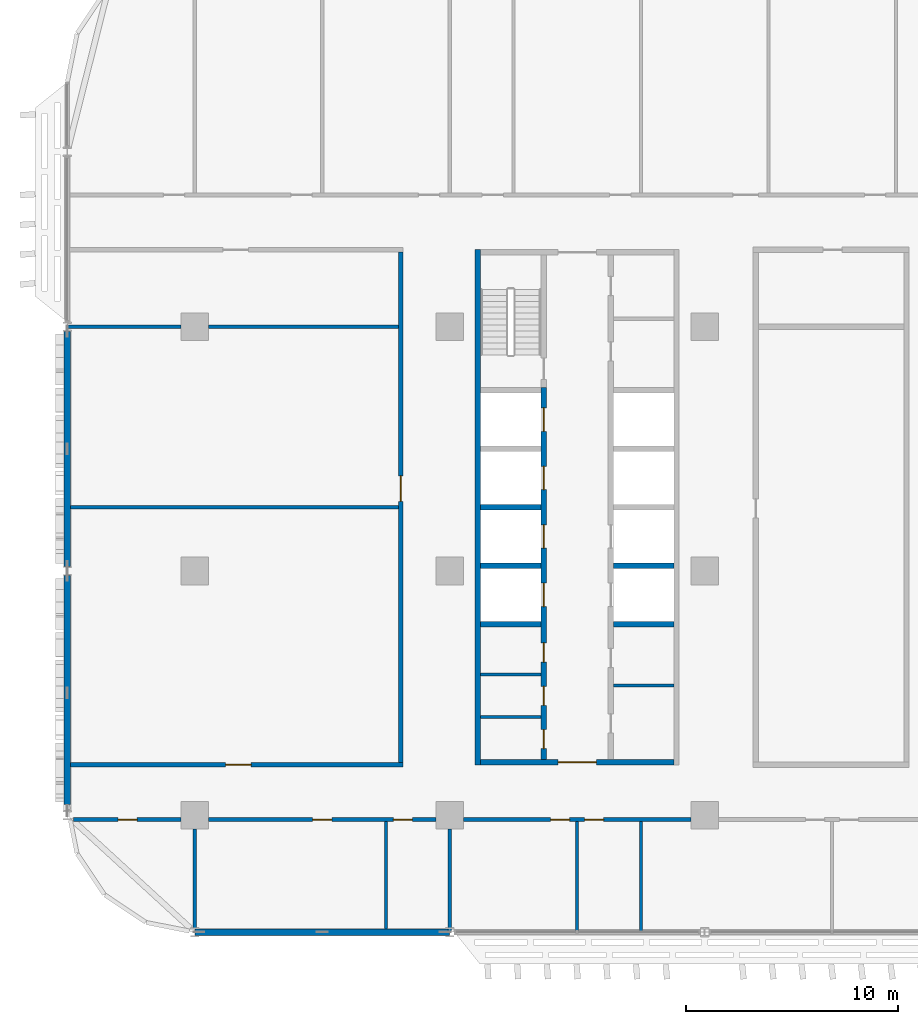
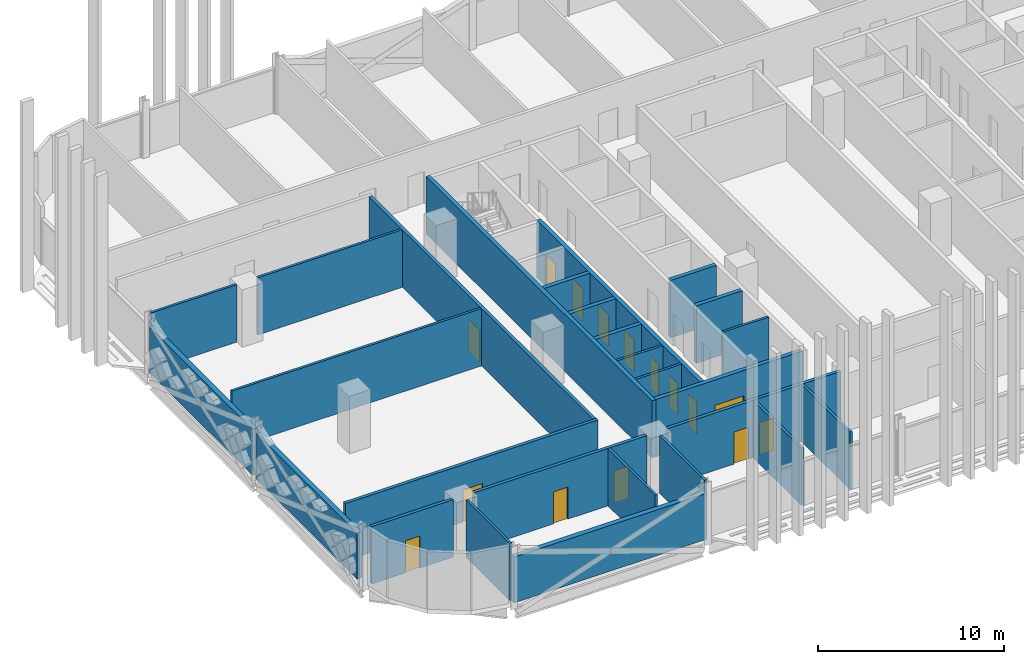
# One storey, part 13 of 32: 27 walls, 15 doors, 15 openings.
"""IFC4 building model written with IfcOpenShell, lengths in metres."""

from ifc_helpers import new_model, si_unit, direction, frame, frame_2d, origin, place, context, subcontext, project, spatial, rectangle, extrude, material, layer, layer_set, type_object, element, fill, save


model = new_model("IFC4")

# Units and contexts
model_context = context("Model", 3, precision=1e-05, world=origin(), true_north=direction((0.0, 1.0)))
body_context = subcontext(model_context, "Body", "Model", "MODEL_VIEW")
ifc_project = project(units=[si_unit("LENGTHUNIT", "METRE"), si_unit("AREAUNIT", "SQUARE_METRE"), si_unit("VOLUMEUNIT", "CUBIC_METRE"), si_unit("PLANEANGLEUNIT", "RADIAN"), si_unit("MASSUNIT", "GRAM", prefix="KILO")], contexts=[model_context])

# Site, building, storey
site_placement = place(None, origin())
site = spatial("IfcSite", under=ifc_project, at=site_placement, CompositionType="ELEMENT")
building_placement = place(site_placement, origin())
building = spatial("IfcBuilding", under=site, at=building_placement, Name="Mahtab Terrace Research Tower", CompositionType="ELEMENT")
storey_placement = place(building_placement, frame((0.0, 0.0, 138.39990234375)))
storey = spatial("IfcBuildingStorey", under=building, at=storey_placement, Name="L32", CompositionType="ELEMENT", Elevation=138.39990234375)

# Walls
ifc_material_1 = material(Name="Gypsum board partition")
ifc_layer_1 = layer(ifc_material_1, 0.14990234375)
ifc_layer_set_1 = layer_set([ifc_layer_1], Name="Core partition 150")
wall_type_1 = type_object("IfcWallType", Name="Core partition 150", PredefinedType="PARTITIONING", material=ifc_layer_set_1)
for number, where, z_axis, x_axis, name in (
    (1, (-28.550048828125, -6.875, 0.0), (0.0, 0.0, 1.0), (1.0, 0.0, 0.0), "Core wall A pWS-988"),
    (2, (-28.550048828125, -4.875, 0.0), (0.0, 0.0, 1.0), (1.0, 0.0, 0.0), "Core wall A pWS-788"),
    (3, (-22.300048828125, -5.39501953125, 0.0), (0.0, 0.0, 1.0), (1.0, 0.0, 0.0), "Core wall A pES-840"),
):
    element("IfcWall", number, at=place(storey_placement, frame(where, z_axis=z_axis, x_axis=x_axis)), inside=storey, type_object=wall_type_1, Name=name, PredefinedType="PARTITIONING", context=body_context, shape_type="SweptSolid", body=[
        extrude(rectangle(XDim=2.85009765625, YDim=0.14990234375, at=frame_2d((1.425048828125, 0.0))), origin(), (0.0, 0.0, 1.0), 3.760009765625),
    ])
ifc_material_2 = material(Name="Concrete C70/85", Category="concrete")
ifc_layer_2 = layer(ifc_material_2, 0.25)
ifc_layer_set_2 = layer_set([ifc_layer_2], Name="Core wall 250")
wall_type_2 = type_object("IfcWallType", Name="Core wall 250", PredefinedType="SOLIDWALL", material=ifc_layer_set_2)
wall_1_placement = place(storey_placement, frame((-28.675048828125, 15.125, 0.0), z_axis=(0.0, 0.0, 1.0), x_axis=(0.0, -1.0, 0.0)))
element("IfcWall", 4, at=wall_1_placement, inside=storey, type_object=wall_type_2, Name="Core wall A outerW", PredefinedType="SOLIDWALL", context=body_context, shape_type="SweptSolid", body=[
    extrude(rectangle(XDim=24.25, YDim=0.25, at=frame_2d((12.125, 0.0))), origin(), (0.0, 0.0, 1.0), 3.760009765625),
])

# Wall, opening, door
wall_2_placement = place(storey_placement, frame((-19.449951171875, -9.0, 0.0), z_axis=(0.0, 0.0, 1.0), x_axis=(-1.0, 0.0, 0.0)))
wall_2 = element("IfcWall", 5, at=wall_2_placement, inside=storey, type_object=wall_type_2, Name="Core wall A endS", PredefinedType="SOLIDWALL", context=body_context, shape_type="SweptSolid", body=[
    extrude(rectangle(XDim=9.10009765625, YDim=0.25, at=frame_2d((4.550048828125, 0.0))), origin(), (0.0, 0.0, 1.0), 3.760009765625),
])
opening_1_placement = place(wall_2_placement, frame((3.64990234375, 0.0, 0.0)))
opening_1 = element("IfcOpeningElement", 6, at=opening_1_placement, cuts=wall_2, Name="Opening A-S1", PredefinedType="OPENING", context=body_context, shape_type="SweptSolid", body=[
    extrude(rectangle(XDim=1.800048828125, YDim=2.10009765625, at=frame_2d((0.89990234375, 1.050048828125))), frame((0.0, 0.135009765625, 0.0), z_axis=(0.0, -1.0, 0.0), x_axis=(1.0, 0.0, 0.0)), (0.0, 0.0, 1.0), 0.27001953125),
])
ifc_material_3 = material(Name="Steel fire door", Category="steel")
door_type_1 = type_object("IfcDoorType", Name="Lobby double door 1800x2100 1 HR", OperationType="DOUBLE_DOOR_SINGLE_SWING", PredefinedType="DOOR", material=ifc_material_3)
door_1_placement = place(opening_1_placement, origin())
door_1 = element("IfcDoor", 7, at=door_1_placement, inside=storey, type_object=door_type_1, Name="Core entrance door A S", OperationType="DOUBLE_DOOR_SINGLE_SWING", OverallHeight=2.10009765625, OverallWidth=1.800048828125, PredefinedType="DOOR", context=body_context, shape_type="SweptSolid", body=[
    extrude(rectangle(XDim=1.800048828125, YDim=2.10009765625, at=frame_2d((0.89990234375, 1.050048828125))), frame((0.0, 0.02490234375, 0.0), z_axis=(0.0, -1.0, 0.0), x_axis=(1.0, 0.0, 0.0)), (0.0, 0.0, 1.0), 0.050048828125),
])
fill(opening_1, door_1)

# Wall, openings, doors
wall_3_placement = place(storey_placement, frame((-25.574951171875, -8.875, 0.0), z_axis=(0.0, 0.0, 1.0), x_axis=(0.0, 1.0, 0.0)))
wall_3 = element("IfcWall", 8, at=wall_3_placement, inside=storey, type_object=wall_type_2, Name="Core wall A innerWSL", PredefinedType="SOLIDWALL", context=body_context, shape_type="SweptSolid", body=[
    extrude(rectangle(XDim=17.5, YDim=0.25, at=frame_2d((8.75, 0.0))), origin(), (0.0, 0.0, 1.0), 3.760009765625),
])
opening_2_placement = place(wall_3_placement, frame((7.199951171875, 0.0, 0.0)))
opening_2 = element("IfcOpeningElement", 9, at=opening_2_placement, cuts=wall_3, Name="Opening LD01-L32", PredefinedType="OPENING", context=body_context, shape_type="SweptSolid", body=[
    extrude(rectangle(XDim=1.10009765625, YDim=2.10009765625, at=frame_2d((0.550048828125, 1.050048828125))), frame((0.0, 0.135009765625, 0.0), z_axis=(0.0, -1.0, 0.0), x_axis=(1.0, 0.0, 0.0)), (0.0, 0.0, 1.0), 0.27001953125),
])
opening_3_placement = place(wall_3_placement, frame((9.949951171875, 0.0, 0.0)))
opening_3 = element("IfcOpeningElement", 10, at=opening_3_placement, cuts=wall_3, Name="Opening LD02-L32", PredefinedType="OPENING", context=body_context, shape_type="SweptSolid", body=[
    extrude(rectangle(XDim=1.10009765625, YDim=2.10009765625, at=frame_2d((0.550048828125, 1.050048828125))), frame((0.0, 0.135009765625, 0.0), z_axis=(0.0, -1.0, 0.0), x_axis=(1.0, 0.0, 0.0)), (0.0, 0.0, 1.0), 0.27001953125),
])
opening_4_placement = place(wall_3_placement, frame((12.699951171875, 0.0, 0.0)))
opening_4 = element("IfcOpeningElement", 11, at=opening_4_placement, cuts=wall_3, Name="Opening LD03-L32", PredefinedType="OPENING", context=body_context, shape_type="SweptSolid", body=[
    extrude(rectangle(XDim=1.10009765625, YDim=2.10009765625, at=frame_2d((0.550048828125, 1.050048828125))), frame((0.0, 0.135009765625, 0.0), z_axis=(0.0, -1.0, 0.0), x_axis=(1.0, 0.0, 0.0)), (0.0, 0.0, 1.0), 0.27001953125),
])
opening_5_placement = place(wall_3_placement, frame((15.449951171875, 0.0, 0.0)))
opening_5 = element("IfcOpeningElement", 12, at=opening_5_placement, cuts=wall_3, Name="Opening LD04-L32", PredefinedType="OPENING", context=body_context, shape_type="SweptSolid", body=[
    extrude(rectangle(XDim=1.10009765625, YDim=2.10009765625, at=frame_2d((0.550048828125, 1.050048828125))), frame((0.0, 0.135009765625, 0.0), z_axis=(0.0, -1.0, 0.0), x_axis=(1.0, 0.0, 0.0)), (0.0, 0.0, 1.0), 0.27001953125),
])
opening_6_placement = place(wall_3_placement, frame((0.512451171875, 0.0, 0.0)))
opening_6 = element("IfcOpeningElement", 13, at=opening_6_placement, cuts=wall_3, Name="Opening A-R1", PredefinedType="OPENING", context=body_context, shape_type="SweptSolid", body=[
    extrude(rectangle(XDim=0.89990234375, YDim=2.10009765625, at=frame_2d((0.449951171875, 1.050048828125))), frame((0.0, 0.135009765625, 0.0), z_axis=(0.0, -1.0, 0.0), x_axis=(1.0, 0.0, 0.0)), (0.0, 0.0, 1.0), 0.27001953125),
])
opening_7_placement = place(wall_3_placement, frame((2.550048828125, 0.0, 0.0)))
opening_7 = element("IfcOpeningElement", 14, at=opening_7_placement, cuts=wall_3, Name="Opening A-R2", PredefinedType="OPENING", context=body_context, shape_type="SweptSolid", body=[
    extrude(rectangle(XDim=0.89990234375, YDim=2.10009765625, at=frame_2d((0.449951171875, 1.050048828125))), frame((0.0, 0.135009765625, 0.0), z_axis=(0.0, -1.0, 0.0), x_axis=(1.0, 0.0, 0.0)), (0.0, 0.0, 1.0), 0.27001953125),
])
opening_8_placement = place(wall_3_placement, frame((4.58740234375, 0.0, 0.0)))
opening_8 = element("IfcOpeningElement", 15, at=opening_8_placement, cuts=wall_3, Name="Opening A-R3", PredefinedType="OPENING", context=body_context, shape_type="SweptSolid", body=[
    extrude(rectangle(XDim=0.89990234375, YDim=2.10009765625, at=frame_2d((0.449951171875, 1.050048828125))), frame((0.0, 0.135009765625, 0.0), z_axis=(0.0, -1.0, 0.0), x_axis=(1.0, 0.0, 0.0)), (0.0, 0.0, 1.0), 0.27001953125),
])
ifc_material_4 = material(Name="Stainless steel AISI 304", Category="steel")
door_type_2 = type_object("IfcDoorType", Name="Landing door 1100x2100", OperationType="DOUBLE_DOOR_SLIDING", PredefinedType="DOOR", material=ifc_material_4)
door_2_placement = place(opening_2_placement, origin())
door_2 = element("IfcDoor", 16, at=door_2_placement, inside=storey, type_object=door_type_2, Name="Landing door LR1 L32", OperationType="DOUBLE_DOOR_SLIDING", OverallHeight=2.10009765625, OverallWidth=1.10009765625, PredefinedType="DOOR", context=body_context, shape_type="SweptSolid", body=[
    extrude(rectangle(XDim=1.10009765625, YDim=2.10009765625, at=frame_2d((0.550048828125, 1.050048828125))), frame((0.0, 0.02490234375, 0.0), z_axis=(0.0, -1.0, 0.0), x_axis=(1.0, 0.0, 0.0)), (0.0, 0.0, 1.0), 0.050048828125),
])
fill(opening_2, door_2)
door_3_placement = place(opening_3_placement, origin())
door_3 = element("IfcDoor", 17, at=door_3_placement, inside=storey, type_object=door_type_2, Name="Landing door LR2 L32", OperationType="DOUBLE_DOOR_SLIDING", OverallHeight=2.10009765625, OverallWidth=1.10009765625, PredefinedType="DOOR", context=body_context, shape_type="SweptSolid", body=[
    extrude(rectangle(XDim=1.10009765625, YDim=2.10009765625, at=frame_2d((0.550048828125, 1.050048828125))), frame((0.0, 0.02490234375, 0.0), z_axis=(0.0, -1.0, 0.0), x_axis=(1.0, 0.0, 0.0)), (0.0, 0.0, 1.0), 0.050048828125),
])
fill(opening_3, door_3)
door_4_placement = place(opening_4_placement, origin())
door_4 = element("IfcDoor", 18, at=door_4_placement, inside=storey, type_object=door_type_2, Name="Landing door LR3 L32", OperationType="DOUBLE_DOOR_SLIDING", OverallHeight=2.10009765625, OverallWidth=1.10009765625, PredefinedType="DOOR", context=body_context, shape_type="SweptSolid", body=[
    extrude(rectangle(XDim=1.10009765625, YDim=2.10009765625, at=frame_2d((0.550048828125, 1.050048828125))), frame((0.0, 0.02490234375, 0.0), z_axis=(0.0, -1.0, 0.0), x_axis=(1.0, 0.0, 0.0)), (0.0, 0.0, 1.0), 0.050048828125),
])
fill(opening_4, door_4)
door_5_placement = place(opening_5_placement, origin())
door_5 = element("IfcDoor", 19, at=door_5_placement, inside=storey, type_object=door_type_2, Name="Landing door LR4 L32", OperationType="DOUBLE_DOOR_SLIDING", OverallHeight=2.10009765625, OverallWidth=1.10009765625, PredefinedType="DOOR", context=body_context, shape_type="SweptSolid", body=[
    extrude(rectangle(XDim=1.10009765625, YDim=2.10009765625, at=frame_2d((0.550048828125, 1.050048828125))), frame((0.0, 0.02490234375, 0.0), z_axis=(0.0, -1.0, 0.0), x_axis=(1.0, 0.0, 0.0)), (0.0, 0.0, 1.0), 0.050048828125),
])
fill(opening_5, door_5)
door_type_3 = type_object("IfcDoorType", Name="Room door 900x2100 1 HR", OperationType="NOTDEFINED", PredefinedType="DOOR", material=ifc_material_3)
door_6_placement = place(opening_6_placement, origin())
door_6 = element("IfcDoor", 20, at=door_6_placement, inside=storey, type_object=door_type_3, Name="Male WC door", OperationType="SINGLE_SWING_LEFT", OverallHeight=2.10009765625, OverallWidth=0.89990234375, PredefinedType="DOOR", context=body_context, shape_type="SweptSolid", body=[
    extrude(rectangle(XDim=0.89990234375, YDim=2.10009765625, at=frame_2d((0.449951171875, 1.050048828125))), frame((0.0, 0.02490234375, 0.0), z_axis=(0.0, -1.0, 0.0), x_axis=(1.0, 0.0, 0.0)), (0.0, 0.0, 1.0), 0.050048828125),
])
fill(opening_6, door_6)
door_7_placement = place(opening_7_placement, origin())
door_7 = element("IfcDoor", 21, at=door_7_placement, inside=storey, type_object=door_type_3, Name="Female WC door", OperationType="SINGLE_SWING_RIGHT", OverallHeight=2.10009765625, OverallWidth=0.89990234375, PredefinedType="DOOR", context=body_context, shape_type="SweptSolid", body=[
    extrude(rectangle(XDim=0.89990234375, YDim=2.10009765625, at=frame_2d((0.449951171875, 1.050048828125))), frame((0.0, 0.02490234375, 0.0), z_axis=(0.0, -1.0, 0.0), x_axis=(1.0, 0.0, 0.0)), (0.0, 0.0, 1.0), 0.050048828125),
])
fill(opening_7, door_7)
door_8_placement = place(opening_8_placement, origin())
door_8 = element("IfcDoor", 22, at=door_8_placement, inside=storey, type_object=door_type_3, Name="Accessible WC door", OperationType="SINGLE_SWING_LEFT", OverallHeight=2.10009765625, OverallWidth=0.89990234375, PredefinedType="DOOR", context=body_context, shape_type="SweptSolid", body=[
    extrude(rectangle(XDim=0.89990234375, YDim=2.10009765625, at=frame_2d((0.449951171875, 1.050048828125))), frame((0.0, 0.02490234375, 0.0), z_axis=(0.0, -1.0, 0.0), x_axis=(1.0, 0.0, 0.0)), (0.0, 0.0, 1.0), 0.050048828125),
])
fill(opening_8, door_8)

# Walls
for number, where, z_axis, x_axis, name in (
    (23, (-28.550048828125, -2.5, 0.0), (0.0, 0.0, 1.0), (1.0, 0.0, 0.0), "Core wall A divW0"),
    (24, (-28.550048828125, 0.25, 0.0), (0.0, 0.0, 1.0), (1.0, 0.0, 0.0), "Core wall A divW1"),
    (25, (-28.550048828125, 3.0, 0.0), (0.0, 0.0, 1.0), (1.0, 0.0, 0.0), "Core wall A divW2"),
    (26, (-22.300048828125, -2.5, 0.0), (0.0, 0.0, 1.0), (1.0, 0.0, 0.0), "Core wall A divE0"),
    (27, (-22.300048828125, 0.25, 0.0), (0.0, 0.0, 1.0), (1.0, 0.0, 0.0), "Core wall A divE1"),
):
    element("IfcWall", number, at=place(storey_placement, frame(where, z_axis=z_axis, x_axis=x_axis)), inside=storey, type_object=wall_type_2, Name=name, PredefinedType="SOLIDWALL", context=body_context, shape_type="SweptSolid", body=[
        extrude(rectangle(XDim=2.85009765625, YDim=0.25, at=frame_2d((1.425048828125, 0.0))), origin(), (0.0, 0.0, 1.0), 3.760009765625),
    ])
ifc_material_5 = material(Name="Black aluminium cladding panel", Category="aluminium")
ifc_layer_3 = layer(ifc_material_5, 0.300048828125)
ifc_layer_set_3 = layer_set([ifc_layer_3], Name="Opaque facade wall 300")
wall_type_3 = type_object("IfcWallType", Name="Opaque facade wall 300", PredefinedType="NOTDEFINED", material=ifc_layer_set_3)
wall_4_placement = place(storey_placement, frame((-48.0, 11.281982421875, 0.0), z_axis=(0.0, 0.0, 1.0), x_axis=(0.0, -1.0, 0.0)))
element("IfcWall", 28, at=wall_4_placement, inside=storey, type_object=wall_type_3, Name="Opaque facade wall L32 W17", PredefinedType="NOTDEFINED", context=body_context, shape_type="SweptSolid", body=[
    extrude(rectangle(XDim=11.06396484375, YDim=0.300048828125, at=frame_2d((5.531982421875, 0.0))), origin(), (0.0, 0.0, 1.0), 3.003173828125),
])
wall_5_placement = place(storey_placement, frame((-48.0, -0.218017578125, 0.0), z_axis=(0.0, 0.0, 1.0), x_axis=(0.0, -1.0, 0.0)))
element("IfcWall", 29, at=wall_5_placement, inside=storey, type_object=wall_type_3, Name="Opaque facade wall L32 W18", PredefinedType="NOTDEFINED", context=body_context, shape_type="SweptSolid", body=[
    extrude(rectangle(XDim=10.781982421875, YDim=0.300048828125, at=frame_2d((5.39111328125, 0.0))), origin(), (0.0, 0.0, 1.0), 3.003173828125),
])
wall_6_placement = place(storey_placement, frame((-41.982177734375, -17.0, 0.0), z_axis=(0.0, 0.0, 1.0), x_axis=(1.0, 0.0, 0.0)))
element("IfcWall", 30, at=wall_6_placement, inside=storey, type_object=wall_type_3, Name="Opaque facade wall L32 S24", PredefinedType="NOTDEFINED", context=body_context, shape_type="SweptSolid", body=[
    extrude(rectangle(XDim=11.96435546875, YDim=0.300048828125, at=frame_2d((5.982177734375, 0.0))), origin(), (0.0, 0.0, 1.0), 3.003173828125),
])

# Wall, opening, door
ifc_material_6 = material(Name="Gypsum board corridor wall on steel studs", Category="steel")
ifc_layer_4 = layer(ifc_material_6, 0.199951171875)
ifc_layer_set_4 = layer_set([ifc_layer_4], Name="WALL CORRIDOR 200")
wall_type_4 = type_object("IfcWallType", Name="WALL CORRIDOR 200", PredefinedType="PARTITIONING", material=ifc_layer_set_4)
wall_7_placement = place(storey_placement, frame((-47.707763671875, -11.699951171875, 0.0), z_axis=(0.0, 0.0, 1.0), x_axis=(1.0, 0.0, 0.0)))
wall_7 = element("IfcWall", 31, at=wall_7_placement, inside=storey, type_object=wall_type_4, Name="L32-W001", PredefinedType="PARTITIONING", context=body_context, shape_type="SweptSolid", body=[
    extrude(rectangle(XDim=5.057861328125, YDim=0.199951171875, at=frame_2d((2.52880859375, 0.0))), origin(), (0.0, 0.0, 1.0), 3.760009765625),
])
opening_9_placement = place(wall_7_placement, frame((2.10009765625, 0.0, 0.0)))
opening_9 = element("IfcOpeningElement", 32, at=opening_9_placement, cuts=wall_7, Name="Opening L32-101", PredefinedType="OPENING", context=body_context, shape_type="SweptSolid", body=[
    extrude(rectangle(XDim=0.89990234375, YDim=2.10009765625, at=frame_2d((0.449951171875, 1.050048828125))), frame((0.0, 0.10986328125, 0.0), z_axis=(0.0, -1.0, 0.0), x_axis=(1.0, 0.0, 0.0)), (0.0, 0.0, 1.0), 0.219970703125),
])
ifc_material_7 = material(Name="Timber door leaf in steel frame", Category="steel")
door_type_4 = type_object("IfcDoorType", Name="DOOR 0900X2100 FD30S", OperationType="SINGLE_SWING_LEFT", PredefinedType="DOOR", material=ifc_material_7)
door_9_placement = place(opening_9_placement, origin())
door_9 = element("IfcDoor", 33, at=door_9_placement, inside=storey, type_object=door_type_4, Name="Door L32-101", OperationType="SINGLE_SWING_LEFT", OverallHeight=2.10009765625, OverallWidth=0.89990234375, PredefinedType="DOOR", context=body_context, shape_type="SweptSolid", body=[
    extrude(rectangle(XDim=0.89990234375, YDim=2.10009765625, at=frame_2d((0.449951171875, 1.050048828125))), frame((0.0, 0.02490234375, 0.0), z_axis=(0.0, -1.0, 0.0), x_axis=(1.0, 0.0, 0.0)), (0.0, 0.0, 1.0), 0.050048828125),
])
fill(opening_9, door_9)

# Wall, openings, doors
wall_8_placement = place(storey_placement, frame((-41.35009765625, -11.699951171875, 0.0), z_axis=(0.0, 0.0, 1.0), x_axis=(1.0, 0.0, 0.0)))
wall_8 = element("IfcWall", 34, at=wall_8_placement, inside=storey, type_object=wall_type_4, Name="L32-W002", PredefinedType="PARTITIONING", context=body_context, shape_type="SweptSolid", body=[
    extrude(rectangle(XDim=10.7001953125, YDim=0.199951171875, at=frame_2d((5.35009765625, 0.0))), origin(), (0.0, 0.0, 1.0), 3.760009765625),
])
opening_10_placement = place(wall_8_placement, frame((4.89990234375, 0.0, 0.0)))
opening_10 = element("IfcOpeningElement", 35, at=opening_10_placement, cuts=wall_8, Name="Opening L32-102", PredefinedType="OPENING", context=body_context, shape_type="SweptSolid", body=[
    extrude(rectangle(XDim=0.89990234375, YDim=2.10009765625, at=frame_2d((0.449951171875, 1.050048828125))), frame((0.0, 0.10986328125, 0.0), z_axis=(0.0, -1.0, 0.0), x_axis=(1.0, 0.0, 0.0)), (0.0, 0.0, 1.0), 0.219970703125),
])
opening_11_placement = place(wall_8_placement, frame((8.699951171875, 0.0, 0.0)))
opening_11 = element("IfcOpeningElement", 36, at=opening_11_placement, cuts=wall_8, Name="Opening L32-103", PredefinedType="OPENING", context=body_context, shape_type="SweptSolid", body=[
    extrude(rectangle(XDim=0.89990234375, YDim=2.10009765625, at=frame_2d((0.449951171875, 1.050048828125))), frame((0.0, 0.10986328125, 0.0), z_axis=(0.0, -1.0, 0.0), x_axis=(1.0, 0.0, 0.0)), (0.0, 0.0, 1.0), 0.219970703125),
])
door_10_placement = place(opening_10_placement, origin())
door_10 = element("IfcDoor", 37, at=door_10_placement, inside=storey, type_object=door_type_4, Name="Door L32-102", OperationType="SINGLE_SWING_RIGHT", OverallHeight=2.10009765625, OverallWidth=0.89990234375, PredefinedType="DOOR", context=body_context, shape_type="SweptSolid", body=[
    extrude(rectangle(XDim=0.89990234375, YDim=2.10009765625, at=frame_2d((0.449951171875, 1.050048828125))), frame((0.0, 0.02490234375, 0.0), z_axis=(0.0, -1.0, 0.0), x_axis=(1.0, 0.0, 0.0)), (0.0, 0.0, 1.0), 0.050048828125),
])
fill(opening_10, door_10)
door_11_placement = place(opening_11_placement, origin())
door_11 = element("IfcDoor", 38, at=door_11_placement, inside=storey, type_object=door_type_4, Name="Door L32-103", OperationType="SINGLE_SWING_LEFT", OverallHeight=2.10009765625, OverallWidth=0.89990234375, PredefinedType="DOOR", context=body_context, shape_type="SweptSolid", body=[
    extrude(rectangle(XDim=0.89990234375, YDim=2.10009765625, at=frame_2d((0.449951171875, 1.050048828125))), frame((0.0, 0.02490234375, 0.0), z_axis=(0.0, -1.0, 0.0), x_axis=(1.0, 0.0, 0.0)), (0.0, 0.0, 1.0), 0.050048828125),
])
fill(opening_11, door_11)

wall_9_placement = place(storey_placement, frame((-29.35009765625, -11.699951171875, 0.0), z_axis=(0.0, 0.0, 1.0), x_axis=(1.0, 0.0, 0.0)))
wall_9 = element("IfcWall", 39, at=wall_9_placement, inside=storey, type_object=wall_type_4, Name="L32-W003", PredefinedType="PARTITIONING", context=body_context, shape_type="SweptSolid", body=[
    extrude(rectangle(XDim=10.7001953125, YDim=0.199951171875, at=frame_2d((5.35009765625, 0.0))), origin(), (0.0, 0.0, 1.0), 3.760009765625),
])
opening_12_placement = place(wall_9_placement, frame((4.10009765625, 0.0, 0.0)))
opening_12 = element("IfcOpeningElement", 40, at=opening_12_placement, cuts=wall_9, Name="Opening L32-104", PredefinedType="OPENING", context=body_context, shape_type="SweptSolid", body=[
    extrude(rectangle(XDim=0.89990234375, YDim=2.10009765625, at=frame_2d((0.449951171875, 1.050048828125))), frame((0.0, 0.10986328125, 0.0), z_axis=(0.0, -1.0, 0.0), x_axis=(1.0, 0.0, 0.0)), (0.0, 0.0, 1.0), 0.219970703125),
])
opening_13_placement = place(wall_9_placement, frame((5.699951171875, 0.0, 0.0)))
opening_13 = element("IfcOpeningElement", 41, at=opening_13_placement, cuts=wall_9, Name="Opening L32-105", PredefinedType="OPENING", context=body_context, shape_type="SweptSolid", body=[
    extrude(rectangle(XDim=0.89990234375, YDim=2.10009765625, at=frame_2d((0.449951171875, 1.050048828125))), frame((0.0, 0.10986328125, 0.0), z_axis=(0.0, -1.0, 0.0), x_axis=(1.0, 0.0, 0.0)), (0.0, 0.0, 1.0), 0.219970703125),
])
door_12_placement = place(opening_12_placement, origin())
door_12 = element("IfcDoor", 42, at=door_12_placement, inside=storey, type_object=door_type_4, Name="Door L32-104", OperationType="SINGLE_SWING_RIGHT", OverallHeight=2.10009765625, OverallWidth=0.89990234375, PredefinedType="DOOR", context=body_context, shape_type="SweptSolid", body=[
    extrude(rectangle(XDim=0.89990234375, YDim=2.10009765625, at=frame_2d((0.449951171875, 1.050048828125))), frame((0.0, 0.02490234375, 0.0), z_axis=(0.0, -1.0, 0.0), x_axis=(1.0, 0.0, 0.0)), (0.0, 0.0, 1.0), 0.050048828125),
])
fill(opening_12, door_12)
door_13_placement = place(opening_13_placement, origin())
door_13 = element("IfcDoor", 43, at=door_13_placement, inside=storey, type_object=door_type_4, Name="Door L32-105", OperationType="SINGLE_SWING_LEFT", OverallHeight=2.10009765625, OverallWidth=0.89990234375, PredefinedType="DOOR", context=body_context, shape_type="SweptSolid", body=[
    extrude(rectangle(XDim=0.89990234375, YDim=2.10009765625, at=frame_2d((0.449951171875, 1.050048828125))), frame((0.0, 0.02490234375, 0.0), z_axis=(0.0, -1.0, 0.0), x_axis=(1.0, 0.0, 0.0)), (0.0, 0.0, 1.0), 0.050048828125),
])
fill(opening_13, door_13)

# Wall, opening, door
wall_10_placement = place(storey_placement, frame((-47.85009765625, -9.125, 0.0), z_axis=(0.0, 0.0, 1.0), x_axis=(1.0, 0.0, 0.0)))
wall_10 = element("IfcWall", 44, at=wall_10_placement, inside=storey, type_object=wall_type_4, Name="L32-W010", PredefinedType="PARTITIONING", context=body_context, shape_type="SweptSolid", body=[
    extrude(rectangle(XDim=15.650146484375, YDim=0.199951171875, at=frame_2d((7.8251953125, 0.0))), origin(), (0.0, 0.0, 1.0), 3.760009765625),
])
opening_14_placement = place(wall_10_placement, frame((7.300048828125, 0.0, 0.0)))
opening_14 = element("IfcOpeningElement", 45, at=opening_14_placement, cuts=wall_10, Name="Opening L32-117", PredefinedType="OPENING", context=body_context, shape_type="SweptSolid", body=[
    extrude(rectangle(XDim=1.199951171875, YDim=2.10009765625, at=frame_2d((0.60009765625, 1.050048828125))), frame((0.0, 0.10986328125, 0.0), z_axis=(0.0, -1.0, 0.0), x_axis=(1.0, 0.0, 0.0)), (0.0, 0.0, 1.0), 0.219970703125),
])
door_type_5 = type_object("IfcDoorType", Name="DOOR 1200X2100 FD30S", OperationType="SINGLE_SWING_LEFT", PredefinedType="DOOR", material=ifc_material_7)
door_14_placement = place(opening_14_placement, origin())
door_14 = element("IfcDoor", 46, at=door_14_placement, inside=storey, type_object=door_type_5, Name="Door L32-117", OperationType="SINGLE_SWING_RIGHT", OverallHeight=2.10009765625, OverallWidth=1.199951171875, PredefinedType="DOOR", context=body_context, shape_type="SweptSolid", body=[
    extrude(rectangle(XDim=1.199951171875, YDim=2.10009765625, at=frame_2d((0.60009765625, 1.050048828125))), frame((0.0, 0.02490234375, 0.0), z_axis=(0.0, -1.0, 0.0), x_axis=(1.0, 0.0, 0.0)), (0.0, 0.0, 1.0), 0.050048828125),
])
fill(opening_14, door_14)

wall_11_placement = place(storey_placement, frame((-32.300048828125, -9.02490234375, 0.0), z_axis=(0.0, 0.0, 1.0), x_axis=(0.0, 1.0, 0.0)))
wall_11 = element("IfcWall", 47, at=wall_11_placement, inside=storey, type_object=wall_type_4, Name="L32-W031", PredefinedType="PARTITIONING", context=body_context, shape_type="SweptSolid", body=[
    extrude(rectangle(XDim=24.0498046875, YDim=0.199951171875, at=frame_2d((12.02490234375, 0.0))), origin(), (0.0, 0.0, 1.0), 3.760009765625),
])
opening_15_placement = place(wall_11_placement, frame((12.300048828125, 0.0, 0.0)))
opening_15 = element("IfcOpeningElement", 48, at=opening_15_placement, cuts=wall_11, Name="Opening L32-122", PredefinedType="OPENING", context=body_context, shape_type="SweptSolid", body=[
    extrude(rectangle(XDim=1.199951171875, YDim=2.10009765625, at=frame_2d((0.60009765625, 1.050048828125))), frame((0.0, 0.10986328125, 0.0), z_axis=(0.0, -1.0, 0.0), x_axis=(1.0, 0.0, 0.0)), (0.0, 0.0, 1.0), 0.219970703125),
])
door_15_placement = place(opening_15_placement, origin())
door_15 = element("IfcDoor", 49, at=door_15_placement, inside=storey, type_object=door_type_5, Name="Door L32-122", OperationType="SINGLE_SWING_RIGHT", OverallHeight=2.10009765625, OverallWidth=1.199951171875, PredefinedType="DOOR", context=body_context, shape_type="SweptSolid", body=[
    extrude(rectangle(XDim=1.199951171875, YDim=2.10009765625, at=frame_2d((0.60009765625, 1.050048828125))), frame((0.0, 0.02490234375, 0.0), z_axis=(0.0, -1.0, 0.0), x_axis=(1.0, 0.0, 0.0)), (0.0, 0.0, 1.0), 0.050048828125),
])
fill(opening_15, door_15)

# Walls
ifc_material_8 = material(Name="Gypsum board partition on steel studs", Category="steel")
ifc_layer_5 = layer(ifc_material_8, 0.14990234375)
ifc_layer_set_5 = layer_set([ifc_layer_5], Name="WALL PARTITION 150")
wall_type_5 = type_object("IfcWallType", Name="WALL PARTITION 150", PredefinedType="PARTITIONING", material=ifc_layer_set_5)
wall_12_placement = place(storey_placement, frame((-47.85009765625, 3.0, 0.0), z_axis=(0.0, 0.0, 1.0), x_axis=(1.0, 0.0, 0.0)))
element("IfcWall", 50, at=wall_12_placement, inside=storey, type_object=wall_type_5, Name="L32-W014", PredefinedType="PARTITIONING", context=body_context, shape_type="SweptSolid", body=[
    extrude(rectangle(XDim=15.4501953125, YDim=0.14990234375, at=frame_2d((7.72509765625, 0.0))), origin(), (0.0, 0.0, 1.0), 3.760009765625),
])
wall_13_placement = place(storey_placement, frame((-47.97509765625, 11.5, 0.0), z_axis=(0.0, 0.0, 1.0), x_axis=(1.0, 0.0, 0.0)))
element("IfcWall", 51, at=wall_13_placement, inside=storey, type_object=wall_type_5, Name="L32-W016", PredefinedType="PARTITIONING", context=body_context, shape_type="SweptSolid", body=[
    extrude(rectangle(XDim=5.3251953125, YDim=0.14990234375, at=frame_2d((2.66259765625, 0.0))), origin(), (0.0, 0.0, 1.0), 3.760009765625),
])
wall_14_placement = place(storey_placement, frame((-41.35009765625, 11.5, 0.0), z_axis=(0.0, 0.0, 1.0), x_axis=(1.0, 0.0, 0.0)))
element("IfcWall", 52, at=wall_14_placement, inside=storey, type_object=wall_type_5, Name="L32-W017", PredefinedType="PARTITIONING", context=body_context, shape_type="SweptSolid", body=[
    extrude(rectangle(XDim=8.9501953125, YDim=0.14990234375, at=frame_2d((4.47509765625, 0.0))), origin(), (0.0, 0.0, 1.0), 3.760009765625),
])
wall_15_placement = place(storey_placement, frame((-42.0, -16.84716796875, 0.0), z_axis=(0.0, 0.0, 1.0), x_axis=(0.0, 1.0, 0.0)))
element("IfcWall", 53, at=wall_15_placement, inside=storey, type_object=wall_type_5, Name="L32-W027", PredefinedType="PARTITIONING", context=body_context, shape_type="SweptSolid", body=[
    extrude(rectangle(XDim=4.697265625, YDim=0.14990234375, at=frame_2d((2.3486328125, 0.0))), origin(), (0.0, 0.0, 1.0), 3.760009765625),
])
wall_16_placement = place(storey_placement, frame((-33.0, -16.85009765625, 0.0), z_axis=(0.0, 0.0, 1.0), x_axis=(0.0, 1.0, 0.0)))
element("IfcWall", 54, at=wall_16_placement, inside=storey, type_object=wall_type_5, Name="L32-W030", PredefinedType="PARTITIONING", context=body_context, shape_type="SweptSolid", body=[
    extrude(rectangle(XDim=5.050048828125, YDim=0.14990234375, at=frame_2d((2.52490234375, 0.0))), origin(), (0.0, 0.0, 1.0), 3.760009765625),
])
wall_17_placement = place(storey_placement, frame((-30.0, -16.97509765625, 0.0), z_axis=(0.0, 0.0, 1.0), x_axis=(0.0, 1.0, 0.0)))
element("IfcWall", 55, at=wall_17_placement, inside=storey, type_object=wall_type_5, Name="L32-W032", PredefinedType="PARTITIONING", context=body_context, shape_type="SweptSolid", body=[
    extrude(rectangle(XDim=4.8251953125, YDim=0.14990234375, at=frame_2d((2.41259765625, 0.0))), origin(), (0.0, 0.0, 1.0), 3.760009765625),
])
for number, where, z_axis, x_axis, name in (
    (56, (-24.0, -16.97509765625, 0.0), (0.0, 0.0, 1.0), (0.0, 1.0, 0.0), "L32-W035"),
    (57, (-21.0, -16.97509765625, 0.0), (0.0, 0.0, 1.0), (0.0, 1.0, 0.0), "L32-W036"),
):
    element("IfcWall", number, at=place(storey_placement, frame(where, z_axis=z_axis, x_axis=x_axis)), inside=storey, type_object=wall_type_5, Name=name, PredefinedType="PARTITIONING", context=body_context, shape_type="SweptSolid", body=[
        extrude(rectangle(XDim=5.175048828125, YDim=0.14990234375, at=frame_2d((2.58740234375, 0.0))), origin(), (0.0, 0.0, 1.0), 3.760009765625),
    ])

save(model, "model.ifc")
